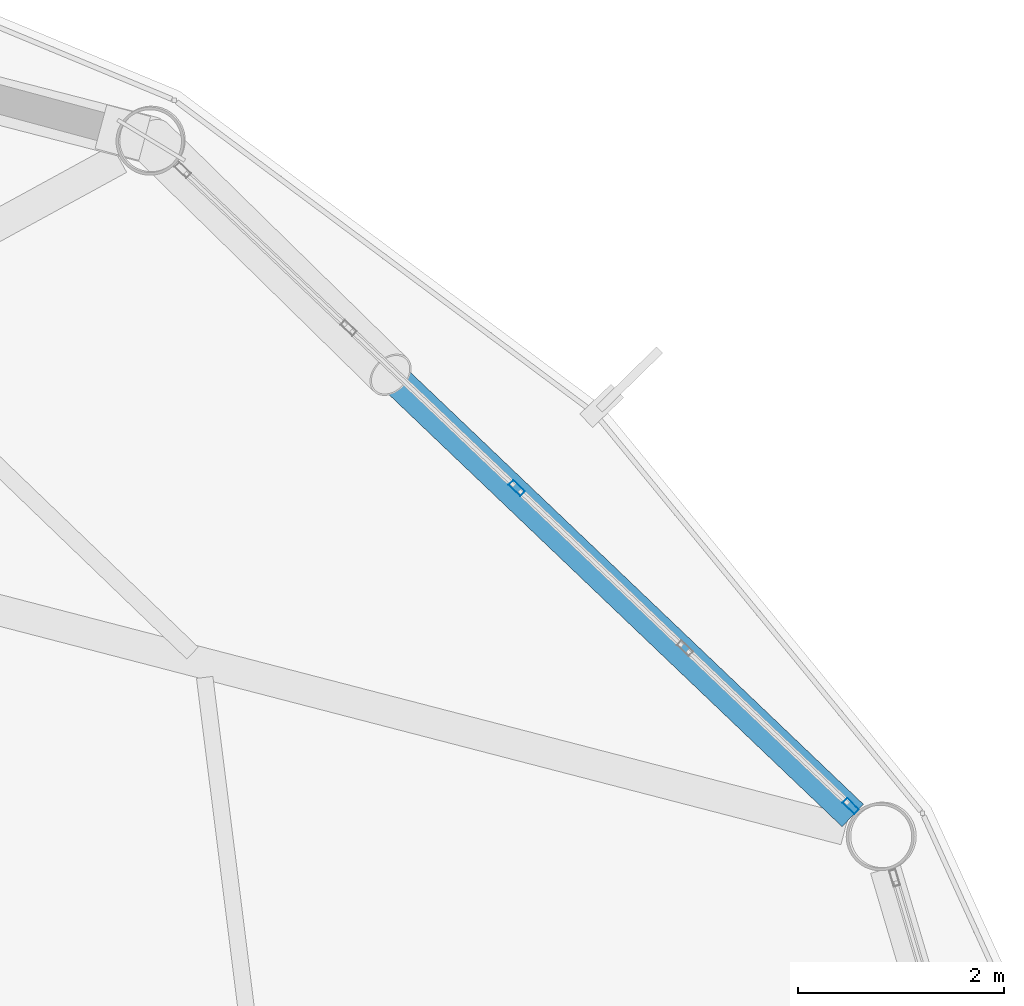
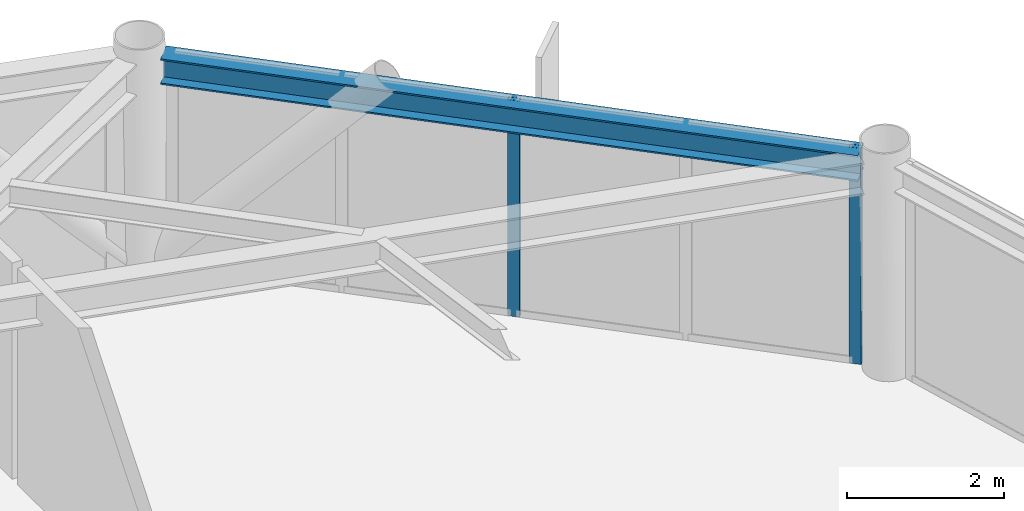
# One storey, part 17 of 28: 2 members, 1 beam, 1 element without a shape of its own.
"""IFC4 building model written with IfcOpenShell, lengths in metres."""

from ifc_helpers import new_model, si_unit, direction, frame, origin, origin_2d, place, context, subcontext, project, spatial, hollow_rectangle, i_section, extrude, material, layer, layer_set, material_profile, profile_set, type_object, element, aggregate, save


model = new_model("IFC4")

# Units and contexts
model_context = context("Model", 3, precision=1e-05, world=origin(), true_north=direction((0.0, 1.0)))
body_context = subcontext(model_context, "Body", "Model", "MODEL_VIEW")
ifc_project = project(units=[si_unit("LENGTHUNIT", "METRE"), si_unit("AREAUNIT", "SQUARE_METRE"), si_unit("VOLUMEUNIT", "CUBIC_METRE"), si_unit("PLANEANGLEUNIT", "RADIAN"), si_unit("MASSUNIT", "GRAM", prefix="KILO")], contexts=[model_context])

# Site, building, storey
site_placement = place(None, origin())
site = spatial("IfcSite", under=ifc_project, at=site_placement, CompositionType="ELEMENT")
building_placement = place(site_placement, origin())
building = spatial("IfcBuilding", under=site, at=building_placement, Name="Varnakorn Sky Granary", CompositionType="ELEMENT")
storey_placement = place(building_placement, frame((0.0, 0.0, 193.199951171875)))
storey = spatial("IfcBuildingStorey", under=building, at=storey_placement, Name="L48", CompositionType="ELEMENT", Elevation=193.199951171875)

# Beam
ifc_material_1 = material(Name="Steel S355JR", Category="steel")
ifc_material_profile_1 = material_profile(ifc_material_1, i_section(OverallWidth=0.300048828125, OverallDepth=0.39990234375, WebThickness=0.013427734375, FlangeThickness=0.02392578125, at=origin_2d()), Name="HE 400 B")
ifc_profile_set_1 = profile_set([ifc_material_profile_1], Name="Steel S355JR")
beam_type = type_object("IfcBeamType", Name="BM-SPD-Z4", PredefinedType="SPANDREL", material=ifc_profile_set_1)
beam_placement = place(storey_placement, frame((21.343994140625, 9.42333984375, 3.16015625), z_axis=(-0.723716437857, 0.69009746962, 0.0), x_axis=(-0.69009746962, -0.723716437857, 0.0)))
element("IfcBeam", 1, at=beam_placement, inside=storey, type_object=beam_type, Name="Perimeter Spandrel Ring Beam RB02 L48", PredefinedType="SPANDREL", context=body_context, shape_type="SweptSolid", body=[
    extrude(i_section(OverallWidth=0.300048828125, OverallDepth=0.39990234375, WebThickness=0.013427734375, FlangeThickness=0.02392578125, at=origin_2d()), origin(), (0.0, 0.0, 1.0), 9.135498046875),
])

# Curtain wall, members
ifc_material_2 = material(Name="Anodised Bronze Aluminium Alloy 6063-T6", Category="aluminium")
ifc_layer = layer(ifc_material_2, 0.169921875, Name="Anodised Bronze Aluminium Alloy 6063-T6")
ifc_layer_set = layer_set([ifc_layer], Name="Anodised Bronze Aluminium Alloy 6063-T6")
curtain_wall_type = type_object("IfcCurtainWallType", Name="CW-LAB-1", PredefinedType="USERDEFINED", material=ifc_layer_set)
curtain_wall_placement = place(storey_placement, origin())
curtain_wall = element("IfcCurtainWall", 2, at=curtain_wall_placement, inside=storey, type_object=curtain_wall_type, Name="Unitised Curtain Wall CW5 CW-L48-B02", ObjectType="CURTAIN WALL", PredefinedType="USERDEFINED")
ifc_material_profile_2 = material_profile(ifc_material_2, hollow_rectangle(XDim=0.06494140625, YDim=0.159912109375, WallThickness=0.00341796875, at=origin_2d()), Name="ALU MULL 65x160")
ifc_profile_set_2 = profile_set([ifc_material_profile_2], Name="Anodised Bronze Aluminium Alloy 6063-T6")
member_type = type_object("IfcMemberType", Name="CW-LAB-1-MULL", PredefinedType="MULLION", material=ifc_profile_set_2)
member_1_placement = place(storey_placement, frame((18.083984375, 12.598876953125, 0.0), z_axis=(0.0, 0.0, 1.0), x_axis=(0.689516343161, 0.724270123996, 0.0)))
member_1 = element("IfcMember", 3, at=member_1_placement, type_object=member_type, Name="CW5 mullion 3", PredefinedType="MULLION", context=body_context, shape_type="SweptSolid", body=[
    extrude(hollow_rectangle(XDim=0.06494140625, YDim=0.159912109375, WallThickness=0.00341796875, at=origin_2d()), origin(), (0.0, 0.0, 1.0), 3.360107421875),
])
member_2_placement = place(storey_placement, frame((21.323974609375, 9.514404296875, 0.0), z_axis=(0.0, 0.0, 1.0), x_axis=(0.689516343161, 0.724270123996, 0.0)))
member_2 = element("IfcMember", 4, at=member_2_placement, type_object=member_type, Name="CW5 mullion 5", PredefinedType="MULLION", context=body_context, shape_type="SweptSolid", body=[
    extrude(hollow_rectangle(XDim=0.06494140625, YDim=0.159912109375, WallThickness=0.00341796875, at=origin_2d()), origin(), (0.0, 0.0, 1.0), 3.360107421875),
])
aggregate(curtain_wall, [member_1, member_2])

save(model, "model.ifc")
